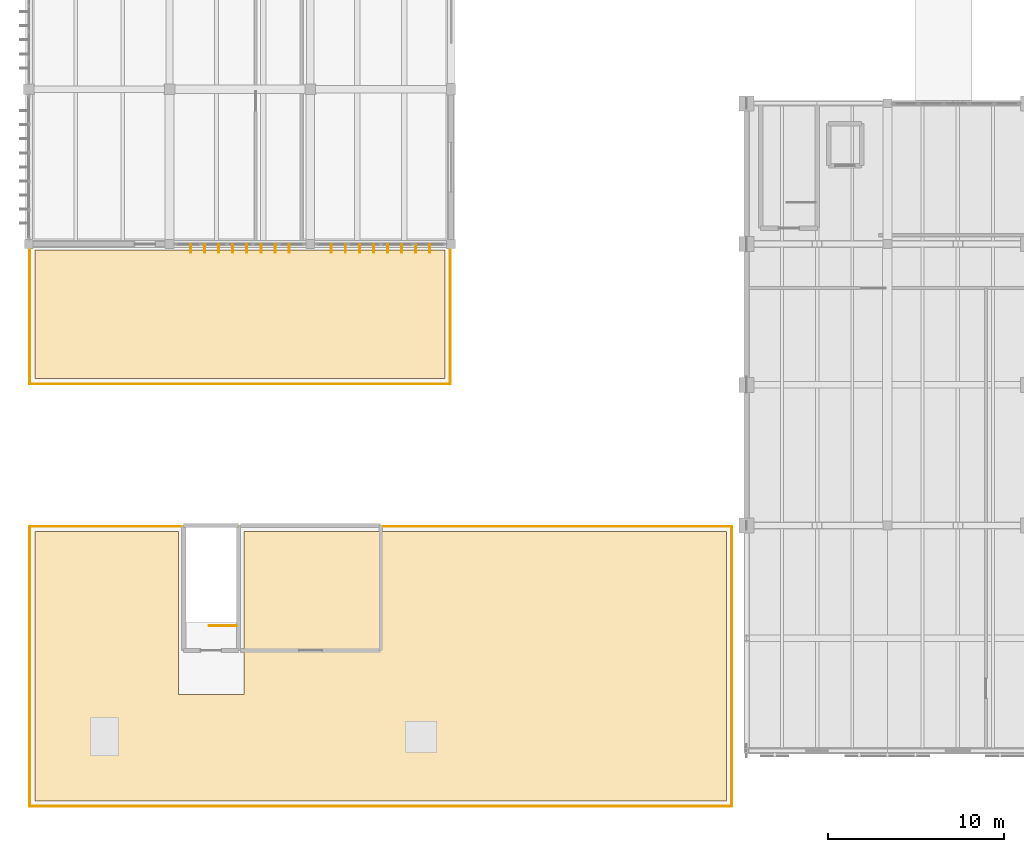
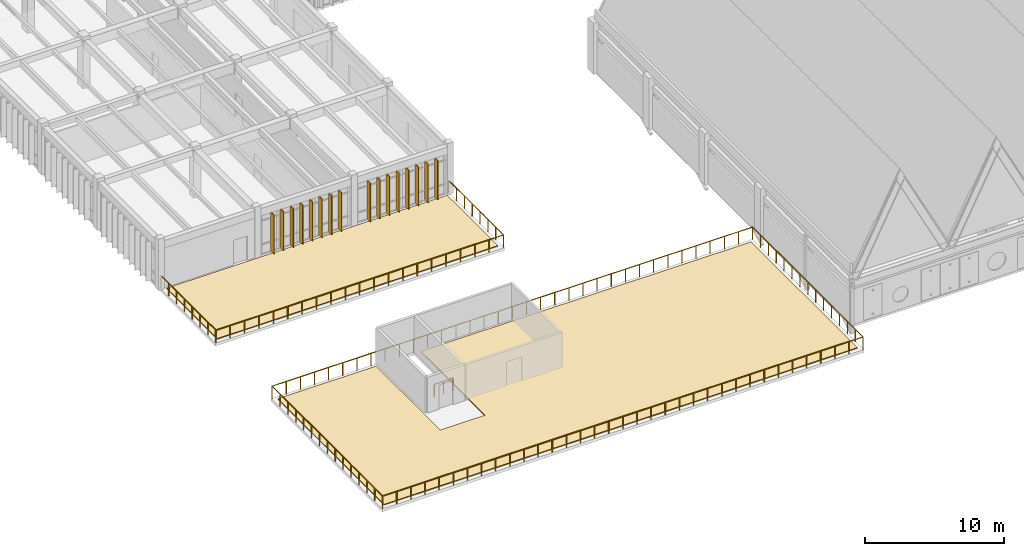
# One storey, part 59 of 72: 16 shading devices, 8 railings, 2 coverings.
"""IFC4 building model written with IfcOpenShell, lengths in metres."""

from ifc_helpers import new_model, si_unit, direction, frame, origin, origin_2d, place, context, subcontext, project, spatial, polyline, rectangle, circle, outline, extrude, material, layer, layer_set, type_object, element, save


model = new_model("IFC4")

# Units and contexts
model_context = context("Model", 3, precision=1e-05, world=origin(), true_north=direction((0.0, 1.0)))
body_context = subcontext(model_context, "Body", "Model", "MODEL_VIEW")
ifc_project = project(units=[si_unit("LENGTHUNIT", "METRE"), si_unit("AREAUNIT", "SQUARE_METRE"), si_unit("VOLUMEUNIT", "CUBIC_METRE"), si_unit("PLANEANGLEUNIT", "RADIAN"), si_unit("MASSUNIT", "GRAM", prefix="KILO")], contexts=[model_context])

# Site, building, storey
site_placement = place(None, origin())
site = spatial("IfcSite", under=ifc_project, at=site_placement, CompositionType="ELEMENT")
building_placement = place(site_placement, origin())
building = spatial("IfcBuilding", under=site, at=building_placement, Name="Tlaxcora Railside Police Headquarters", CompositionType="ELEMENT")
storey_placement = place(building_placement, frame((0.0, 0.0, 13.5)))
storey = spatial("IfcBuildingStorey", under=building, at=storey_placement, Name="L03", CompositionType="ELEMENT", Elevation=13.5)

# Coverings
ifc_material_1 = material(Name="Modified EPDM waterproofing and volcanic-ash protection membrane")
ifc_layer_1 = layer(ifc_material_1, 0.080078125, Name="Modified EPDM waterproofing and volcanic-ash protection membrane")
ifc_layer_set_1 = layer_set([ifc_layer_1], Name="Modified EPDM waterproofing and volcanic-ash protection membrane")
covering_type = type_object("IfcCoveringType", Name="Planted Roof Garden Waterproofing RF-01", PredefinedType="ROOFING", material=ifc_layer_set_1)
covering_1_placement = place(storey_placement, origin())
element("IfcCovering", 1, at=covering_1_placement, inside=storey, type_object=covering_type, Name="TERR-V4-L03-RG planted waterproofing layer", PredefinedType="ROOFING", context=body_context, shape_type="SweptSolid", body=[
    extrude(outline(polyline([(44.85009765625, 20.35009765625), (5.550048828125, 20.35009765625), (5.550048828125, 35.64990234375), (13.699951171875, 35.64990234375), (13.699951171875, 26.39990234375), (17.419921875, 26.39990234375), (17.419921875, 35.64990234375), (44.85009765625, 35.64990234375), (44.85009765625, 20.35009765625)])), origin(), (0.0, 0.0, 1.0), 0.080078125),
])
covering_2_placement = place(storey_placement, origin())
element("IfcCovering", 2, at=covering_2_placement, inside=storey, type_object=covering_type, Name="TERR-V5-L03-S planted waterproofing layer", PredefinedType="ROOFING", context=body_context, shape_type="SweptSolid", body=[
    extrude(outline(polyline([(28.85009765625, 44.35009765625), (28.85009765625, 51.64990234375), (5.550048828125, 51.64990234375), (5.550048828125, 44.35009765625), (28.85009765625, 44.35009765625)])), origin(), (0.0, 0.0, 1.0), 0.080078125),
])

# Shading devices
ifc_material_2 = material(Name="Anodised aluminium framing", Category="aluminium")
ifc_layer_2 = layer(ifc_material_2, 0.054931640625, Name="Anodised aluminium framing")
ifc_layer_set_2 = layer_set([ifc_layer_2], Name="Anodised aluminium framing")
shading_device_type = type_object("IfcShadingDeviceType", Name="Solar Control Fin SF-01", PredefinedType="JALOUSIE", material=ifc_layer_set_2)
for number, where, z_axis, x_axis, name in (
    (3, (14.39990234375, 51.739990234375, 0.0400390625), (0.0, 0.0, 1.0), (0.0, -1.0, 0.0), "Vertical solar fin 267"),
    (4, (15.199951171875, 51.739990234375, 0.0400390625), (0.0, 0.0, 1.0), (0.0, -1.0, 0.0), "Vertical solar fin 268"),
    (5, (16.0, 51.739990234375, 0.0400390625), (0.0, 0.0, 1.0), (0.0, -1.0, 0.0), "Vertical solar fin 269"),
    (6, (16.800048828125, 51.739990234375, 0.0400390625), (0.0, 0.0, 1.0), (0.0, -1.0, 0.0), "Vertical solar fin 270"),
    (7, (17.60009765625, 51.739990234375, 0.0400390625), (0.0, 0.0, 1.0), (0.0, -1.0, 0.0), "Vertical solar fin 271"),
    (8, (18.39990234375, 51.739990234375, 0.0400390625), (0.0, 0.0, 1.0), (0.0, -1.0, 0.0), "Vertical solar fin 272"),
    (9, (19.199951171875, 51.739990234375, 0.0400390625), (0.0, 0.0, 1.0), (0.0, -1.0, 0.0), "Vertical solar fin 273"),
    (10, (20.0, 51.739990234375, 0.0400390625), (0.0, 0.0, 1.0), (0.0, -1.0, 0.0), "Vertical solar fin 274"),
    (11, (22.39990234375, 51.739990234375, 0.0400390625), (0.0, 0.0, 1.0), (0.0, -1.0, 0.0), "Vertical solar fin 275"),
    (12, (23.199951171875, 51.739990234375, 0.0400390625), (0.0, 0.0, 1.0), (0.0, -1.0, 0.0), "Vertical solar fin 276"),
    (13, (24.0, 51.739990234375, 0.0400390625), (0.0, 0.0, 1.0), (0.0, -1.0, 0.0), "Vertical solar fin 277"),
    (14, (24.800048828125, 51.739990234375, 0.0400390625), (0.0, 0.0, 1.0), (0.0, -1.0, 0.0), "Vertical solar fin 278"),
    (15, (25.60009765625, 51.739990234375, 0.0400390625), (0.0, 0.0, 1.0), (0.0, -1.0, 0.0), "Vertical solar fin 279"),
    (16, (26.39990234375, 51.739990234375, 0.0400390625), (0.0, 0.0, 1.0), (0.0, -1.0, 0.0), "Vertical solar fin 280"),
    (17, (27.199951171875, 51.739990234375, 0.0400390625), (0.0, 0.0, 1.0), (0.0, -1.0, 0.0), "Vertical solar fin 281"),
    (18, (28.0, 51.739990234375, 0.0400390625), (0.0, 0.0, 1.0), (0.0, -1.0, 0.0), "Vertical solar fin 282"),
):
    element("IfcShadingDevice", number, at=place(storey_placement, frame(where, z_axis=z_axis, x_axis=x_axis)), inside=storey, type_object=shading_device_type, Name=name, PredefinedType="JALOUSIE", context=body_context, shape_type="SweptSolid", body=[
        extrude(rectangle(XDim=0.47998046875, YDim=0.054931640625, at=origin_2d()), origin(), (0.0, 0.0, 1.0), 3.4599609375),
    ])

# Railings
ifc_material_3 = material(Name="Steel ASTM A992 Grade 50", Category="steel")
railing_type_1 = type_object("IfcRailingType", Name="Stair Well Guard Balustrade GR-02", PredefinedType="BALUSTRADE", material=ifc_material_3)
railing_1_placement = place(storey_placement, frame((17.010009765625, 30.31005859375, 0.0)))
element("IfcRailing", 19, at=railing_1_placement, inside=storey, type_object=railing_type_1, Name="L03 ST6 top well guard 1", PredefinedType="BALUSTRADE", context=body_context, shape_type="SweptSolid", body=[
    extrude(circle(Radius=0.02392578125, at=origin_2d()), frame((0.0, 0.0, 1.09619140625), z_axis=(-1.0, 0.0, 0.0), x_axis=(0.0, -1.0, 0.0)), (0.0, 0.0, 1.0), 1.550048828125),
    extrude(circle(Radius=0.02099609375, at=origin_2d()), origin(), (0.0, 0.0, 1.0), 1.072021484375),
    extrude(circle(Radius=0.02099609375, at=origin_2d()), frame((-0.77490234375, 0.0, 0.0)), (0.0, 0.0, 1.0), 1.072021484375),
    extrude(circle(Radius=0.02099609375, at=origin_2d()), frame((-1.550048828125, 0.0, 0.0)), (0.0, 0.0, 1.0), 1.072021484375),
])
railing_type_2 = type_object("IfcRailingType", Name="Terrace Perimeter Guard Balustrade GR-01", PredefinedType="BALUSTRADE", material=ifc_material_3)
railing_2_placement = place(storey_placement, frame((5.25, 20.050048828125, 0.0)))
element("IfcRailing", 20, at=railing_2_placement, inside=storey, type_object=railing_type_2, Name="TERR-V4-L03-RG perimeter guard 1", PredefinedType="BALUSTRADE", context=body_context, shape_type="SweptSolid", body=[
    extrude(circle(Radius=0.02392578125, at=origin_2d()), frame((0.0, 0.0, 1.09619140625), z_axis=(1.0, 0.0, 0.0), x_axis=(0.0, 1.0, 0.0)), (0.0, 0.0, 1.0), 39.89990234375),
    extrude(circle(Radius=0.02099609375, at=origin_2d()), origin(), (0.0, 0.0, 1.0), 1.072021484375),
    extrude(circle(Radius=0.02099609375, at=origin_2d()), frame((1.173583984375, 0.0, 0.0)), (0.0, 0.0, 1.0), 1.072021484375),
    extrude(circle(Radius=0.02099609375, at=origin_2d()), frame((2.34716796875, 0.0, 0.0)), (0.0, 0.0, 1.0), 1.072021484375),
    extrude(circle(Radius=0.02099609375, at=origin_2d()), frame((3.5205078125, 0.0, 0.0)), (0.0, 0.0, 1.0), 1.072021484375),
    extrude(circle(Radius=0.02099609375, at=origin_2d()), frame((4.694091796875, 0.0, 0.0)), (0.0, 0.0, 1.0), 1.072021484375),
    extrude(circle(Radius=0.02099609375, at=origin_2d()), frame((5.86767578125, 0.0, 0.0)), (0.0, 0.0, 1.0), 1.072021484375),
    extrude(circle(Radius=0.02099609375, at=origin_2d()), frame((7.041259765625, 0.0, 0.0)), (0.0, 0.0, 1.0), 1.072021484375),
    extrude(circle(Radius=0.02099609375, at=origin_2d()), frame((8.214599609375, 0.0, 0.0)), (0.0, 0.0, 1.0), 1.072021484375),
    extrude(circle(Radius=0.02099609375, at=origin_2d()), frame((9.38818359375, 0.0, 0.0)), (0.0, 0.0, 1.0), 1.072021484375),
    extrude(circle(Radius=0.02099609375, at=origin_2d()), frame((10.561767578125, 0.0, 0.0)), (0.0, 0.0, 1.0), 1.072021484375),
    extrude(circle(Radius=0.02099609375, at=origin_2d()), frame((11.7353515625, 0.0, 0.0)), (0.0, 0.0, 1.0), 1.072021484375),
    extrude(circle(Radius=0.02099609375, at=origin_2d()), frame((12.90869140625, 0.0, 0.0)), (0.0, 0.0, 1.0), 1.072021484375),
    extrude(circle(Radius=0.02099609375, at=origin_2d()), frame((14.082275390625, 0.0, 0.0)), (0.0, 0.0, 1.0), 1.072021484375),
    extrude(circle(Radius=0.02099609375, at=origin_2d()), frame((15.255859375, 0.0, 0.0)), (0.0, 0.0, 1.0), 1.072021484375),
    extrude(circle(Radius=0.02099609375, at=origin_2d()), frame((16.429443359375, 0.0, 0.0)), (0.0, 0.0, 1.0), 1.072021484375),
    extrude(circle(Radius=0.02099609375, at=origin_2d()), frame((17.602783203125, 0.0, 0.0)), (0.0, 0.0, 1.0), 1.072021484375),
    extrude(circle(Radius=0.02099609375, at=origin_2d()), frame((18.7763671875, 0.0, 0.0)), (0.0, 0.0, 1.0), 1.072021484375),
    extrude(circle(Radius=0.02099609375, at=origin_2d()), frame((19.949951171875, 0.0, 0.0)), (0.0, 0.0, 1.0), 1.072021484375),
    extrude(circle(Radius=0.02099609375, at=origin_2d()), frame((21.12353515625, 0.0, 0.0)), (0.0, 0.0, 1.0), 1.072021484375),
    extrude(circle(Radius=0.02099609375, at=origin_2d()), frame((22.297119140625, 0.0, 0.0)), (0.0, 0.0, 1.0), 1.072021484375),
    extrude(circle(Radius=0.02099609375, at=origin_2d()), frame((23.470458984375, 0.0, 0.0)), (0.0, 0.0, 1.0), 1.072021484375),
    extrude(circle(Radius=0.02099609375, at=origin_2d()), frame((24.64404296875, 0.0, 0.0)), (0.0, 0.0, 1.0), 1.072021484375),
    extrude(circle(Radius=0.02099609375, at=origin_2d()), frame((25.817626953125, 0.0, 0.0)), (0.0, 0.0, 1.0), 1.072021484375),
    extrude(circle(Radius=0.02099609375, at=origin_2d()), frame((26.9912109375, 0.0, 0.0)), (0.0, 0.0, 1.0), 1.072021484375),
    extrude(circle(Radius=0.02099609375, at=origin_2d()), frame((28.16455078125, 0.0, 0.0)), (0.0, 0.0, 1.0), 1.072021484375),
    extrude(circle(Radius=0.02099609375, at=origin_2d()), frame((29.338134765625, 0.0, 0.0)), (0.0, 0.0, 1.0), 1.072021484375),
    extrude(circle(Radius=0.02099609375, at=origin_2d()), frame((30.51171875, 0.0, 0.0)), (0.0, 0.0, 1.0), 1.072021484375),
    extrude(circle(Radius=0.02099609375, at=origin_2d()), frame((31.685302734375, 0.0, 0.0)), (0.0, 0.0, 1.0), 1.072021484375),
    extrude(circle(Radius=0.02099609375, at=origin_2d()), frame((32.858642578125, 0.0, 0.0)), (0.0, 0.0, 1.0), 1.072021484375),
    extrude(circle(Radius=0.02099609375, at=origin_2d()), frame((34.0322265625, 0.0, 0.0)), (0.0, 0.0, 1.0), 1.072021484375),
    extrude(circle(Radius=0.02099609375, at=origin_2d()), frame((35.205810546875, 0.0, 0.0)), (0.0, 0.0, 1.0), 1.072021484375),
    extrude(circle(Radius=0.02099609375, at=origin_2d()), frame((36.37939453125, 0.0, 0.0)), (0.0, 0.0, 1.0), 1.072021484375),
    extrude(circle(Radius=0.02099609375, at=origin_2d()), frame((37.552734375, 0.0, 0.0)), (0.0, 0.0, 1.0), 1.072021484375),
    extrude(circle(Radius=0.02099609375, at=origin_2d()), frame((38.726318359375, 0.0, 0.0)), (0.0, 0.0, 1.0), 1.072021484375),
    extrude(circle(Radius=0.02099609375, at=origin_2d()), frame((39.89990234375, 0.0, 0.0)), (0.0, 0.0, 1.0), 1.072021484375),
])
railing_3_placement = place(storey_placement, frame((45.14990234375, 20.050048828125, 0.0)))
element("IfcRailing", 21, at=railing_3_placement, inside=storey, type_object=railing_type_2, Name="TERR-V4-L03-RG perimeter guard 2", PredefinedType="BALUSTRADE", context=body_context, shape_type="SweptSolid", body=[
    extrude(circle(Radius=0.02392578125, at=origin_2d()), frame((0.0, 0.0, 1.09619140625), z_axis=(0.0, 1.0, 0.0), x_axis=(-1.0, 0.0, 0.0)), (0.0, 0.0, 1.0), 15.89990234375),
    extrude(circle(Radius=0.02099609375, at=origin_2d()), origin(), (0.0, 0.0, 1.0), 1.072021484375),
    extrude(circle(Radius=0.02099609375, at=origin_2d()), frame((0.0, 1.1357421875, 0.0)), (0.0, 0.0, 1.0), 1.072021484375),
    extrude(circle(Radius=0.02099609375, at=origin_2d()), frame((0.0, 2.271484375, 0.0)), (0.0, 0.0, 1.0), 1.072021484375),
    extrude(circle(Radius=0.02099609375, at=origin_2d()), frame((0.0, 3.4072265625, 0.0)), (0.0, 0.0, 1.0), 1.072021484375),
    extrude(circle(Radius=0.02099609375, at=origin_2d()), frame((0.0, 4.542724609375, 0.0)), (0.0, 0.0, 1.0), 1.072021484375),
    extrude(circle(Radius=0.02099609375, at=origin_2d()), frame((0.0, 5.678466796875, 0.0)), (0.0, 0.0, 1.0), 1.072021484375),
    extrude(circle(Radius=0.02099609375, at=origin_2d()), frame((0.0, 6.814208984375, 0.0)), (0.0, 0.0, 1.0), 1.072021484375),
    extrude(circle(Radius=0.02099609375, at=origin_2d()), frame((0.0, 7.949951171875, 0.0)), (0.0, 0.0, 1.0), 1.072021484375),
    extrude(circle(Radius=0.02099609375, at=origin_2d()), frame((0.0, 9.085693359375, 0.0)), (0.0, 0.0, 1.0), 1.072021484375),
    extrude(circle(Radius=0.02099609375, at=origin_2d()), frame((0.0, 10.221435546875, 0.0)), (0.0, 0.0, 1.0), 1.072021484375),
    extrude(circle(Radius=0.02099609375, at=origin_2d()), frame((0.0, 11.357177734375, 0.0)), (0.0, 0.0, 1.0), 1.072021484375),
    extrude(circle(Radius=0.02099609375, at=origin_2d()), frame((0.0, 12.49267578125, 0.0)), (0.0, 0.0, 1.0), 1.072021484375),
    extrude(circle(Radius=0.02099609375, at=origin_2d()), frame((0.0, 13.62841796875, 0.0)), (0.0, 0.0, 1.0), 1.072021484375),
    extrude(circle(Radius=0.02099609375, at=origin_2d()), frame((0.0, 14.76416015625, 0.0)), (0.0, 0.0, 1.0), 1.072021484375),
    extrude(circle(Radius=0.02099609375, at=origin_2d()), frame((0.0, 15.89990234375, 0.0)), (0.0, 0.0, 1.0), 1.072021484375),
])
railing_4_placement = place(storey_placement, frame((45.14990234375, 35.949951171875, 0.0)))
element("IfcRailing", 22, at=railing_4_placement, inside=storey, type_object=railing_type_2, Name="TERR-V4-L03-RG perimeter guard 3", PredefinedType="BALUSTRADE", context=body_context, shape_type="SweptSolid", body=[
    extrude(circle(Radius=0.02392578125, at=origin_2d()), frame((0.0, 0.0, 1.09619140625), z_axis=(-1.0, 0.0, 0.0), x_axis=(0.0, -1.0, 0.0)), (0.0, 0.0, 1.0), 39.89990234375),
    extrude(circle(Radius=0.02099609375, at=origin_2d()), origin(), (0.0, 0.0, 1.0), 1.072021484375),
    extrude(circle(Radius=0.02099609375, at=origin_2d()), frame((-1.173583984375, 0.0, 0.0)), (0.0, 0.0, 1.0), 1.072021484375),
    extrude(circle(Radius=0.02099609375, at=origin_2d()), frame((-2.34716796875, 0.0, 0.0)), (0.0, 0.0, 1.0), 1.072021484375),
    extrude(circle(Radius=0.02099609375, at=origin_2d()), frame((-3.5205078125, 0.0, 0.0)), (0.0, 0.0, 1.0), 1.072021484375),
    extrude(circle(Radius=0.02099609375, at=origin_2d()), frame((-4.694091796875, 0.0, 0.0)), (0.0, 0.0, 1.0), 1.072021484375),
    extrude(circle(Radius=0.02099609375, at=origin_2d()), frame((-5.86767578125, 0.0, 0.0)), (0.0, 0.0, 1.0), 1.072021484375),
    extrude(circle(Radius=0.02099609375, at=origin_2d()), frame((-7.041259765625, 0.0, 0.0)), (0.0, 0.0, 1.0), 1.072021484375),
    extrude(circle(Radius=0.02099609375, at=origin_2d()), frame((-8.214599609375, 0.0, 0.0)), (0.0, 0.0, 1.0), 1.072021484375),
    extrude(circle(Radius=0.02099609375, at=origin_2d()), frame((-9.38818359375, 0.0, 0.0)), (0.0, 0.0, 1.0), 1.072021484375),
    extrude(circle(Radius=0.02099609375, at=origin_2d()), frame((-10.561767578125, 0.0, 0.0)), (0.0, 0.0, 1.0), 1.072021484375),
    extrude(circle(Radius=0.02099609375, at=origin_2d()), frame((-11.7353515625, 0.0, 0.0)), (0.0, 0.0, 1.0), 1.072021484375),
    extrude(circle(Radius=0.02099609375, at=origin_2d()), frame((-12.90869140625, 0.0, 0.0)), (0.0, 0.0, 1.0), 1.072021484375),
    extrude(circle(Radius=0.02099609375, at=origin_2d()), frame((-14.082275390625, 0.0, 0.0)), (0.0, 0.0, 1.0), 1.072021484375),
    extrude(circle(Radius=0.02099609375, at=origin_2d()), frame((-15.255859375, 0.0, 0.0)), (0.0, 0.0, 1.0), 1.072021484375),
    extrude(circle(Radius=0.02099609375, at=origin_2d()), frame((-16.429443359375, 0.0, 0.0)), (0.0, 0.0, 1.0), 1.072021484375),
    extrude(circle(Radius=0.02099609375, at=origin_2d()), frame((-17.602783203125, 0.0, 0.0)), (0.0, 0.0, 1.0), 1.072021484375),
    extrude(circle(Radius=0.02099609375, at=origin_2d()), frame((-18.7763671875, 0.0, 0.0)), (0.0, 0.0, 1.0), 1.072021484375),
    extrude(circle(Radius=0.02099609375, at=origin_2d()), frame((-19.949951171875, 0.0, 0.0)), (0.0, 0.0, 1.0), 1.072021484375),
    extrude(circle(Radius=0.02099609375, at=origin_2d()), frame((-21.12353515625, 0.0, 0.0)), (0.0, 0.0, 1.0), 1.072021484375),
    extrude(circle(Radius=0.02099609375, at=origin_2d()), frame((-22.297119140625, 0.0, 0.0)), (0.0, 0.0, 1.0), 1.072021484375),
    extrude(circle(Radius=0.02099609375, at=origin_2d()), frame((-23.470458984375, 0.0, 0.0)), (0.0, 0.0, 1.0), 1.072021484375),
    extrude(circle(Radius=0.02099609375, at=origin_2d()), frame((-24.64404296875, 0.0, 0.0)), (0.0, 0.0, 1.0), 1.072021484375),
    extrude(circle(Radius=0.02099609375, at=origin_2d()), frame((-25.817626953125, 0.0, 0.0)), (0.0, 0.0, 1.0), 1.072021484375),
    extrude(circle(Radius=0.02099609375, at=origin_2d()), frame((-26.9912109375, 0.0, 0.0)), (0.0, 0.0, 1.0), 1.072021484375),
    extrude(circle(Radius=0.02099609375, at=origin_2d()), frame((-28.16455078125, 0.0, 0.0)), (0.0, 0.0, 1.0), 1.072021484375),
    extrude(circle(Radius=0.02099609375, at=origin_2d()), frame((-29.338134765625, 0.0, 0.0)), (0.0, 0.0, 1.0), 1.072021484375),
    extrude(circle(Radius=0.02099609375, at=origin_2d()), frame((-30.51171875, 0.0, 0.0)), (0.0, 0.0, 1.0), 1.072021484375),
    extrude(circle(Radius=0.02099609375, at=origin_2d()), frame((-31.685302734375, 0.0, 0.0)), (0.0, 0.0, 1.0), 1.072021484375),
    extrude(circle(Radius=0.02099609375, at=origin_2d()), frame((-32.858642578125, 0.0, 0.0)), (0.0, 0.0, 1.0), 1.072021484375),
    extrude(circle(Radius=0.02099609375, at=origin_2d()), frame((-34.0322265625, 0.0, 0.0)), (0.0, 0.0, 1.0), 1.072021484375),
    extrude(circle(Radius=0.02099609375, at=origin_2d()), frame((-35.205810546875, 0.0, 0.0)), (0.0, 0.0, 1.0), 1.072021484375),
    extrude(circle(Radius=0.02099609375, at=origin_2d()), frame((-36.37939453125, 0.0, 0.0)), (0.0, 0.0, 1.0), 1.072021484375),
    extrude(circle(Radius=0.02099609375, at=origin_2d()), frame((-37.552734375, 0.0, 0.0)), (0.0, 0.0, 1.0), 1.072021484375),
    extrude(circle(Radius=0.02099609375, at=origin_2d()), frame((-38.726318359375, 0.0, 0.0)), (0.0, 0.0, 1.0), 1.072021484375),
    extrude(circle(Radius=0.02099609375, at=origin_2d()), frame((-39.89990234375, 0.0, 0.0)), (0.0, 0.0, 1.0), 1.072021484375),
])
railing_5_placement = place(storey_placement, frame((5.25, 35.949951171875, 0.0)))
element("IfcRailing", 23, at=railing_5_placement, inside=storey, type_object=railing_type_2, Name="TERR-V4-L03-RG perimeter guard 4", PredefinedType="BALUSTRADE", context=body_context, shape_type="SweptSolid", body=[
    extrude(circle(Radius=0.02392578125, at=origin_2d()), frame((0.0, 0.0, 1.09619140625), z_axis=(0.0, -1.0, 0.0), x_axis=(1.0, 0.0, 0.0)), (0.0, 0.0, 1.0), 15.89990234375),
    extrude(circle(Radius=0.02099609375, at=origin_2d()), origin(), (0.0, 0.0, 1.0), 1.072021484375),
    extrude(circle(Radius=0.02099609375, at=origin_2d()), frame((0.0, -1.1357421875, 0.0)), (0.0, 0.0, 1.0), 1.072021484375),
    extrude(circle(Radius=0.02099609375, at=origin_2d()), frame((0.0, -2.271484375, 0.0)), (0.0, 0.0, 1.0), 1.072021484375),
    extrude(circle(Radius=0.02099609375, at=origin_2d()), frame((0.0, -3.4072265625, 0.0)), (0.0, 0.0, 1.0), 1.072021484375),
    extrude(circle(Radius=0.02099609375, at=origin_2d()), frame((0.0, -4.542724609375, 0.0)), (0.0, 0.0, 1.0), 1.072021484375),
    extrude(circle(Radius=0.02099609375, at=origin_2d()), frame((0.0, -5.678466796875, 0.0)), (0.0, 0.0, 1.0), 1.072021484375),
    extrude(circle(Radius=0.02099609375, at=origin_2d()), frame((0.0, -6.814208984375, 0.0)), (0.0, 0.0, 1.0), 1.072021484375),
    extrude(circle(Radius=0.02099609375, at=origin_2d()), frame((0.0, -7.949951171875, 0.0)), (0.0, 0.0, 1.0), 1.072021484375),
    extrude(circle(Radius=0.02099609375, at=origin_2d()), frame((0.0, -9.085693359375, 0.0)), (0.0, 0.0, 1.0), 1.072021484375),
    extrude(circle(Radius=0.02099609375, at=origin_2d()), frame((0.0, -10.221435546875, 0.0)), (0.0, 0.0, 1.0), 1.072021484375),
    extrude(circle(Radius=0.02099609375, at=origin_2d()), frame((0.0, -11.357177734375, 0.0)), (0.0, 0.0, 1.0), 1.072021484375),
    extrude(circle(Radius=0.02099609375, at=origin_2d()), frame((0.0, -12.49267578125, 0.0)), (0.0, 0.0, 1.0), 1.072021484375),
    extrude(circle(Radius=0.02099609375, at=origin_2d()), frame((0.0, -13.62841796875, 0.0)), (0.0, 0.0, 1.0), 1.072021484375),
    extrude(circle(Radius=0.02099609375, at=origin_2d()), frame((0.0, -14.76416015625, 0.0)), (0.0, 0.0, 1.0), 1.072021484375),
    extrude(circle(Radius=0.02099609375, at=origin_2d()), frame((0.0, -15.89990234375, 0.0)), (0.0, 0.0, 1.0), 1.072021484375),
])
railing_6_placement = place(storey_placement, frame((5.25, 44.050048828125, 0.0)))
element("IfcRailing", 24, at=railing_6_placement, inside=storey, type_object=railing_type_2, Name="TERR-V5-L03-S perimeter guard 1", PredefinedType="BALUSTRADE", context=body_context, shape_type="SweptSolid", body=[
    extrude(circle(Radius=0.02392578125, at=origin_2d()), frame((0.0, 0.0, 1.09619140625), z_axis=(1.0, 0.0, 0.0), x_axis=(0.0, 1.0, 0.0)), (0.0, 0.0, 1.0), 23.89990234375),
    extrude(circle(Radius=0.02099609375, at=origin_2d()), origin(), (0.0, 0.0, 1.0), 1.072021484375),
    extrude(circle(Radius=0.02099609375, at=origin_2d()), frame((1.195068359375, 0.0, 0.0)), (0.0, 0.0, 1.0), 1.072021484375),
    extrude(circle(Radius=0.02099609375, at=origin_2d()), frame((2.389892578125, 0.0, 0.0)), (0.0, 0.0, 1.0), 1.072021484375),
    extrude(circle(Radius=0.02099609375, at=origin_2d()), frame((3.5849609375, 0.0, 0.0)), (0.0, 0.0, 1.0), 1.072021484375),
    extrude(circle(Radius=0.02099609375, at=origin_2d()), frame((4.780029296875, 0.0, 0.0)), (0.0, 0.0, 1.0), 1.072021484375),
    extrude(circle(Radius=0.02099609375, at=origin_2d()), frame((5.97509765625, 0.0, 0.0)), (0.0, 0.0, 1.0), 1.072021484375),
    extrude(circle(Radius=0.02099609375, at=origin_2d()), frame((7.169921875, 0.0, 0.0)), (0.0, 0.0, 1.0), 1.072021484375),
    extrude(circle(Radius=0.02099609375, at=origin_2d()), frame((8.364990234375, 0.0, 0.0)), (0.0, 0.0, 1.0), 1.072021484375),
    extrude(circle(Radius=0.02099609375, at=origin_2d()), frame((9.56005859375, 0.0, 0.0)), (0.0, 0.0, 1.0), 1.072021484375),
    extrude(circle(Radius=0.02099609375, at=origin_2d()), frame((10.7548828125, 0.0, 0.0)), (0.0, 0.0, 1.0), 1.072021484375),
    extrude(circle(Radius=0.02099609375, at=origin_2d()), frame((11.949951171875, 0.0, 0.0)), (0.0, 0.0, 1.0), 1.072021484375),
    extrude(circle(Radius=0.02099609375, at=origin_2d()), frame((13.14501953125, 0.0, 0.0)), (0.0, 0.0, 1.0), 1.072021484375),
    extrude(circle(Radius=0.02099609375, at=origin_2d()), frame((14.33984375, 0.0, 0.0)), (0.0, 0.0, 1.0), 1.072021484375),
    extrude(circle(Radius=0.02099609375, at=origin_2d()), frame((15.534912109375, 0.0, 0.0)), (0.0, 0.0, 1.0), 1.072021484375),
    extrude(circle(Radius=0.02099609375, at=origin_2d()), frame((16.72998046875, 0.0, 0.0)), (0.0, 0.0, 1.0), 1.072021484375),
    extrude(circle(Radius=0.02099609375, at=origin_2d()), frame((17.9248046875, 0.0, 0.0)), (0.0, 0.0, 1.0), 1.072021484375),
    extrude(circle(Radius=0.02099609375, at=origin_2d()), frame((19.119873046875, 0.0, 0.0)), (0.0, 0.0, 1.0), 1.072021484375),
    extrude(circle(Radius=0.02099609375, at=origin_2d()), frame((20.31494140625, 0.0, 0.0)), (0.0, 0.0, 1.0), 1.072021484375),
    extrude(circle(Radius=0.02099609375, at=origin_2d()), frame((21.510009765625, 0.0, 0.0)), (0.0, 0.0, 1.0), 1.072021484375),
    extrude(circle(Radius=0.02099609375, at=origin_2d()), frame((22.704833984375, 0.0, 0.0)), (0.0, 0.0, 1.0), 1.072021484375),
    extrude(circle(Radius=0.02099609375, at=origin_2d()), frame((23.89990234375, 0.0, 0.0)), (0.0, 0.0, 1.0), 1.072021484375),
])
for number, where, name in (
    (25, (29.14990234375, 44.050048828125, 0.0), "TERR-V5-L03-S perimeter guard 2"),
    (26, (5.25, 44.050048828125, 0.0), "TERR-V5-L03-S perimeter guard 3"),
):
    element("IfcRailing", number, at=place(storey_placement, frame(where)), inside=storey, type_object=railing_type_2, Name=name, PredefinedType="BALUSTRADE", context=body_context, shape_type="SweptSolid", body=[
        extrude(circle(Radius=0.02392578125, at=origin_2d()), frame((0.0, 0.0, 1.09619140625), z_axis=(0.0, 1.0, 0.0), x_axis=(-1.0, 0.0, 0.0)), (0.0, 0.0, 1.0), 7.89990234375),
        extrude(circle(Radius=0.02099609375, at=origin_2d()), origin(), (0.0, 0.0, 1.0), 1.072021484375),
        extrude(circle(Radius=0.02099609375, at=origin_2d()), frame((0.0, 1.128662109375, 0.0)), (0.0, 0.0, 1.0), 1.072021484375),
        extrude(circle(Radius=0.02099609375, at=origin_2d()), frame((0.0, 2.257080078125, 0.0)), (0.0, 0.0, 1.0), 1.072021484375),
        extrude(circle(Radius=0.02099609375, at=origin_2d()), frame((0.0, 3.3857421875, 0.0)), (0.0, 0.0, 1.0), 1.072021484375),
        extrude(circle(Radius=0.02099609375, at=origin_2d()), frame((0.0, 4.51416015625, 0.0)), (0.0, 0.0, 1.0), 1.072021484375),
        extrude(circle(Radius=0.02099609375, at=origin_2d()), frame((0.0, 5.642822265625, 0.0)), (0.0, 0.0, 1.0), 1.072021484375),
        extrude(circle(Radius=0.02099609375, at=origin_2d()), frame((0.0, 6.771240234375, 0.0)), (0.0, 0.0, 1.0), 1.072021484375),
        extrude(circle(Radius=0.02099609375, at=origin_2d()), frame((0.0, 7.89990234375, 0.0)), (0.0, 0.0, 1.0), 1.072021484375),
    ])

save(model, "model.ifc")
